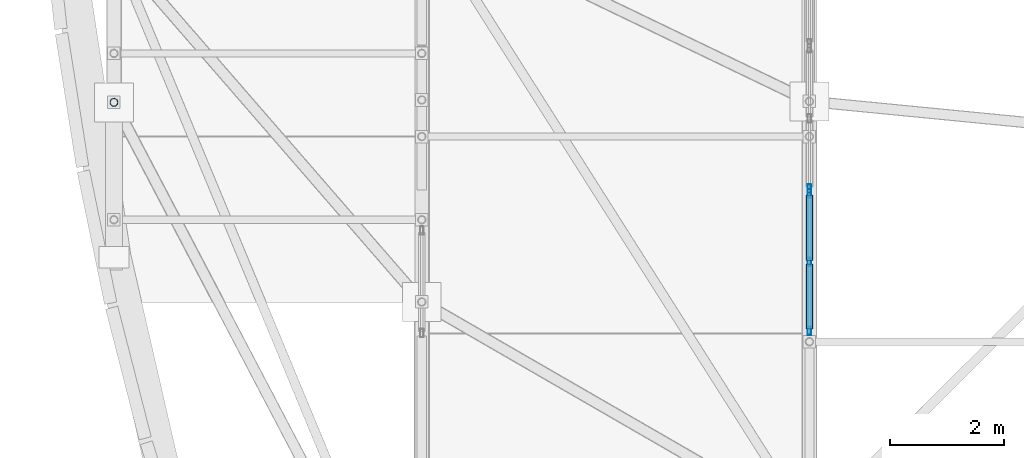
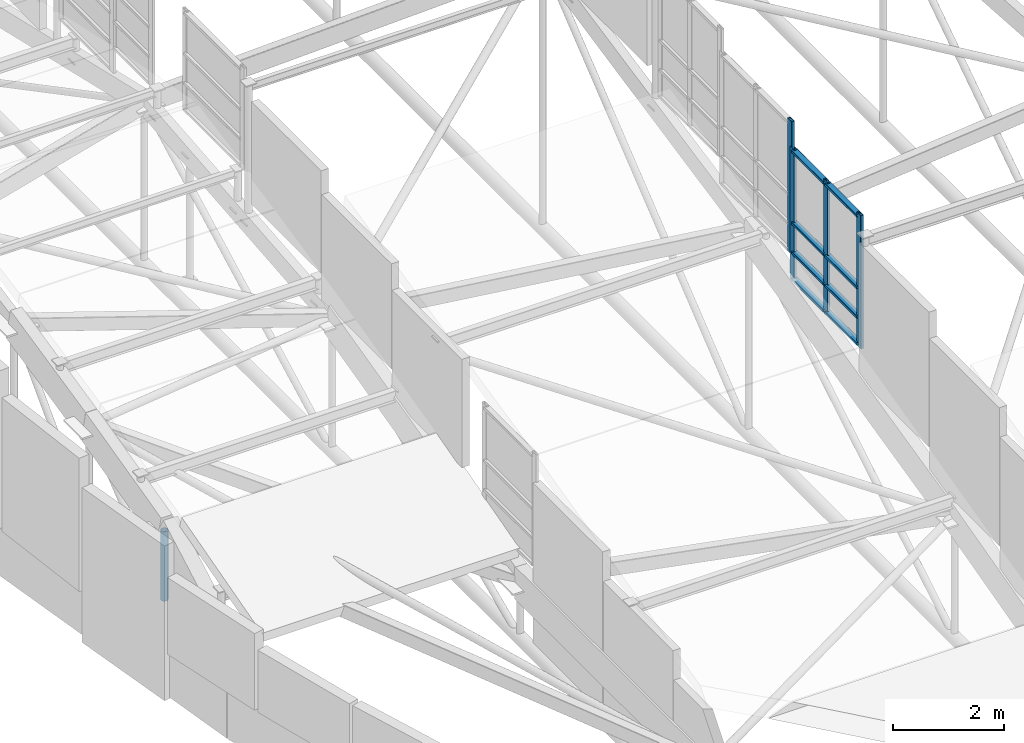
# One storey, part 13 of 188: 13 members, 2 elements without a shape of their own.
"""IFC4 building model written with IfcOpenShell, lengths in metres."""

from ifc_helpers import new_model, si_unit, direction, frame, origin, origin_2d, place, context, subcontext, project, spatial, hollow_rectangle, hollow_circle, extrude, material, layer, layer_set, material_profile, profile_set, type_object, element, aggregate, save


model = new_model("IFC4")

# Units and contexts
model_context = context("Model", 3, precision=1e-05, world=origin(), true_north=direction((0.0, 1.0)))
body_context = subcontext(model_context, "Body", "Model", "MODEL_VIEW")
ifc_project = project(units=[si_unit("LENGTHUNIT", "METRE"), si_unit("AREAUNIT", "SQUARE_METRE"), si_unit("VOLUMEUNIT", "CUBIC_METRE"), si_unit("PLANEANGLEUNIT", "RADIAN"), si_unit("MASSUNIT", "GRAM", prefix="KILO")], contexts=[model_context])

# Site, building, storey
site_placement = place(None, origin())
site = spatial("IfcSite", under=ifc_project, at=site_placement, CompositionType="ELEMENT")
building_placement = place(site_placement, origin())
building = spatial("IfcBuilding", under=site, at=building_placement, Name="Kisaragi Civic Commons", CompositionType="ELEMENT")
storey_placement = place(building_placement, frame((0.0, 0.0, 9.60009765625)))
storey = spatial("IfcBuildingStorey", under=building, at=storey_placement, Name="L02", CompositionType="ELEMENT", Elevation=9.60009765625)

# Curtain wall, members
ifc_material_1 = material(Name="Thermally broken anodized aluminium and low-E double glazing", Category="aluminium")
ifc_layer = layer(ifc_material_1, 0.14990234375, Name="Thermally broken anodized aluminium and low-E double glazing", Category="aluminium")
ifc_layer_set = layer_set([ifc_layer], Name="Thermally broken anodized aluminium and low-E double glazing")
curtain_wall_type = type_object("IfcCurtainWallType", Name="CW-03", PredefinedType="NOTDEFINED", material=ifc_layer_set)
curtain_wall_1_placement = place(storey_placement, origin())
curtain_wall_1 = element("IfcCurtainWall", 1, at=curtain_wall_1_placement, inside=storey, type_object=curtain_wall_type, Name="L02 curtain wall CW-03 CW-CL-V1-139", PredefinedType="NOTDEFINED")
ifc_material_profile_1 = material_profile(ifc_material_1, hollow_rectangle(XDim=0.06005859375, YDim=0.14990234375, WallThickness=0.00390625, InnerFilletRadius=0.00390625, OuterFilletRadius=0.008056640625, at=origin_2d()), Name="CWM-60x150x4", Category="aluminium")
ifc_profile_set_1 = profile_set([ifc_material_profile_1], Name="Thermally broken anodized aluminium and low-E double glazing")
member_type_1 = type_object("IfcMemberType", Name="CWM-01", PredefinedType="MULLION", material=ifc_profile_set_1)
member_1_placement = place(storey_placement, frame((13.60009765625, 21.149169921875, 3.6494140625), z_axis=(0.0, 0.0, 1.0), x_axis=(-1.0, 0.0, 0.0)))
member_1 = element("IfcMember", 2, at=member_1_placement, type_object=member_type_1, Name="CW-03 mullion 1", PredefinedType="MULLION", context=body_context, shape_type="SweptSolid", body=[
    extrude(hollow_rectangle(XDim=0.06005859375, YDim=0.14990234375, WallThickness=0.00390625, InnerFilletRadius=0.00390625, OuterFilletRadius=0.008056640625, at=origin_2d()), origin(), (0.0, 0.0, 1.0), 2.9404296875),
])
member_2_placement = place(storey_placement, frame((13.60009765625, 22.35498046875, 3.6494140625), z_axis=(0.0, 0.0, 1.0), x_axis=(-1.0, 0.0, 0.0)))
member_2 = element("IfcMember", 3, at=member_2_placement, type_object=member_type_1, Name="CW-03 mullion 2", PredefinedType="MULLION", context=body_context, shape_type="SweptSolid", body=[
    extrude(hollow_rectangle(XDim=0.06005859375, YDim=0.14990234375, WallThickness=0.00390625, InnerFilletRadius=0.00390625, OuterFilletRadius=0.008056640625, at=origin_2d()), origin(), (0.0, 0.0, 1.0), 2.9404296875),
])
member_3_placement = place(storey_placement, frame((13.60009765625, 23.560546875, 3.6494140625), z_axis=(0.0, 0.0, 1.0), x_axis=(-1.0, 0.0, 0.0)))
member_3 = element("IfcMember", 4, at=member_3_placement, type_object=member_type_1, Name="CW-03 mullion 3", PredefinedType="MULLION", context=body_context, shape_type="SweptSolid", body=[
    extrude(hollow_rectangle(XDim=0.06005859375, YDim=0.14990234375, WallThickness=0.00390625, InnerFilletRadius=0.00390625, OuterFilletRadius=0.008056640625, at=origin_2d()), origin(), (0.0, 0.0, 1.0), 2.9404296875),
])

# Curtain wall, member
curtain_wall_2_placement = place(storey_placement, origin())
curtain_wall_2 = element("IfcCurtainWall", 5, at=curtain_wall_2_placement, inside=storey, type_object=curtain_wall_type, Name="L02 curtain wall CW-03 CW-CL-V1-140", PredefinedType="NOTDEFINED")
member_4_placement = place(storey_placement, frame((13.60009765625, 23.64453125, 4.213623046875), z_axis=(0.0, 0.0, 1.0), x_axis=(-1.0, 0.0, 0.0)))
member_4 = element("IfcMember", 6, at=member_4_placement, type_object=member_type_1, Name="CW-03 mullion 1", PredefinedType="MULLION", context=body_context, shape_type="SweptSolid", body=[
    extrude(hollow_rectangle(XDim=0.06005859375, YDim=0.14990234375, WallThickness=0.00390625, InnerFilletRadius=0.00390625, OuterFilletRadius=0.008056640625, at=origin_2d()), origin(), (0.0, 0.0, 1.0), 2.936767578125),
])
aggregate(curtain_wall_2, [member_4])

# Member
ifc_material_profile_2 = material_profile(ifc_material_1, hollow_rectangle(XDim=0.1201171875, YDim=0.06005859375, WallThickness=0.00390625, InnerFilletRadius=0.00390625, OuterFilletRadius=0.008056640625, at=origin_2d()), Name="CWT-60x120x4", Category="aluminium")
ifc_profile_set_2 = profile_set([ifc_material_profile_2], Name="Thermally broken anodized aluminium and low-E double glazing")
member_type_2 = type_object("IfcMemberType", Name="CWT-01", PredefinedType="USERDEFINED", material=ifc_profile_set_2)
member_5_placement = place(storey_placement, frame((13.60009765625, 21.17919921875, 3.70947265625), z_axis=(0.0, 1.0, 0.0), x_axis=(-1.0, 0.0, 0.0)))
member_5 = element("IfcMember", 7, at=member_5_placement, type_object=member_type_2, Name="CW-03 transom 1.1", ObjectType="TRANSOM", PredefinedType="USERDEFINED", context=body_context, shape_type="SweptSolid", body=[
    extrude(hollow_rectangle(XDim=0.1201171875, YDim=0.06005859375, WallThickness=0.00390625, InnerFilletRadius=0.00390625, OuterFilletRadius=0.008056640625, at=origin_2d()), origin(), (0.0, 0.0, 1.0), 1.145751953125),
])

member_6_placement = place(storey_placement, frame((13.60009765625, 21.17919921875, 4.29931640625), z_axis=(0.0, 1.0, 0.0), x_axis=(-1.0, 0.0, 0.0)))
member_6 = element("IfcMember", 8, at=member_6_placement, type_object=member_type_2, Name="CW-03 transom 1.2", ObjectType="TRANSOM", PredefinedType="USERDEFINED", context=body_context, shape_type="SweptSolid", body=[
    extrude(hollow_rectangle(XDim=0.1201171875, YDim=0.06005859375, WallThickness=0.00390625, InnerFilletRadius=0.00390625, OuterFilletRadius=0.008056640625, at=origin_2d()), origin(), (0.0, 0.0, 1.0), 1.145751953125),
])

member_7_placement = place(storey_placement, frame((13.60009765625, 21.17919921875, 4.949462890625), z_axis=(0.0, 1.0, 0.0), x_axis=(-1.0, 0.0, 0.0)))
member_7 = element("IfcMember", 9, at=member_7_placement, type_object=member_type_2, Name="CW-03 transom 1.3", ObjectType="TRANSOM", PredefinedType="USERDEFINED", context=body_context, shape_type="SweptSolid", body=[
    extrude(hollow_rectangle(XDim=0.1201171875, YDim=0.06005859375, WallThickness=0.00390625, InnerFilletRadius=0.00390625, OuterFilletRadius=0.008056640625, at=origin_2d()), origin(), (0.0, 0.0, 1.0), 1.145751953125),
])

member_8_placement = place(storey_placement, frame((13.60009765625, 21.17919921875, 6.52978515625), z_axis=(0.0, 1.0, 0.0), x_axis=(-1.0, 0.0, 0.0)))
member_8 = element("IfcMember", 10, at=member_8_placement, type_object=member_type_2, Name="CW-03 transom 1.4", ObjectType="TRANSOM", PredefinedType="USERDEFINED", context=body_context, shape_type="SweptSolid", body=[
    extrude(hollow_rectangle(XDim=0.1201171875, YDim=0.06005859375, WallThickness=0.00390625, InnerFilletRadius=0.00390625, OuterFilletRadius=0.008056640625, at=origin_2d()), origin(), (0.0, 0.0, 1.0), 1.145751953125),
])

member_9_placement = place(storey_placement, frame((13.60009765625, 22.385009765625, 3.70947265625), z_axis=(0.0, 1.0, 0.0), x_axis=(-1.0, 0.0, 0.0)))
member_9 = element("IfcMember", 11, at=member_9_placement, type_object=member_type_2, Name="CW-03 transom 2.1", ObjectType="TRANSOM", PredefinedType="USERDEFINED", context=body_context, shape_type="SweptSolid", body=[
    extrude(hollow_rectangle(XDim=0.1201171875, YDim=0.06005859375, WallThickness=0.00390625, InnerFilletRadius=0.00390625, OuterFilletRadius=0.008056640625, at=origin_2d()), origin(), (0.0, 0.0, 1.0), 1.1455078125),
])

member_10_placement = place(storey_placement, frame((13.60009765625, 22.385009765625, 4.29931640625), z_axis=(0.0, 1.0, 0.0), x_axis=(-1.0, 0.0, 0.0)))
member_10 = element("IfcMember", 12, at=member_10_placement, type_object=member_type_2, Name="CW-03 transom 2.2", ObjectType="TRANSOM", PredefinedType="USERDEFINED", context=body_context, shape_type="SweptSolid", body=[
    extrude(hollow_rectangle(XDim=0.1201171875, YDim=0.06005859375, WallThickness=0.00390625, InnerFilletRadius=0.00390625, OuterFilletRadius=0.008056640625, at=origin_2d()), origin(), (0.0, 0.0, 1.0), 1.1455078125),
])

member_11_placement = place(storey_placement, frame((13.60009765625, 22.385009765625, 4.949462890625), z_axis=(0.0, 1.0, 0.0), x_axis=(-1.0, 0.0, 0.0)))
member_11 = element("IfcMember", 13, at=member_11_placement, type_object=member_type_2, Name="CW-03 transom 2.3", ObjectType="TRANSOM", PredefinedType="USERDEFINED", context=body_context, shape_type="SweptSolid", body=[
    extrude(hollow_rectangle(XDim=0.1201171875, YDim=0.06005859375, WallThickness=0.00390625, InnerFilletRadius=0.00390625, OuterFilletRadius=0.008056640625, at=origin_2d()), origin(), (0.0, 0.0, 1.0), 1.1455078125),
])

member_12_placement = place(storey_placement, frame((13.60009765625, 22.385009765625, 6.52978515625), z_axis=(0.0, 1.0, 0.0), x_axis=(-1.0, 0.0, 0.0)))
member_12 = element("IfcMember", 14, at=member_12_placement, type_object=member_type_2, Name="CW-03 transom 2.4", ObjectType="TRANSOM", PredefinedType="USERDEFINED", context=body_context, shape_type="SweptSolid", body=[
    extrude(hollow_rectangle(XDim=0.1201171875, YDim=0.06005859375, WallThickness=0.00390625, InnerFilletRadius=0.00390625, OuterFilletRadius=0.008056640625, at=origin_2d()), origin(), (0.0, 0.0, 1.0), 1.1455078125),
])

aggregate(curtain_wall_1, [member_1, member_2, member_3, member_5, member_6, member_7, member_8, member_9, member_10, member_11, member_12])

ifc_material_2 = material(Name="Steel SN490 (SN490B)", Category="steel")
ifc_material_profile_3 = material_profile(ifc_material_2, hollow_circle(Radius=0.06982421875, WallThickness=0.006103515625, at=origin_2d()), Name="CHS-139.8x6.0", Category="steel")
ifc_profile_set_3 = profile_set([ifc_material_profile_3], Name="Steel SN490 (SN490B)")
member_type_3 = type_object("IfcMemberType", Name="ST-H1", PredefinedType="STRUT", material=ifc_profile_set_3)
member_13_placement = place(storey_placement, frame((1.39990234375, 25.15771484375, -0.080078125), z_axis=(0.0, 0.0, 1.0), x_axis=(1.0, 0.0, 0.0)))
element("IfcMember", 15, at=member_13_placement, inside=storey, type_object=member_type_3, Name="V1 arch tie hanger strut 2", PredefinedType="STRUT", context=body_context, shape_type="SweptSolid", body=[
    extrude(hollow_circle(Radius=0.06982421875, WallThickness=0.006103515625, at=origin_2d()), origin(), (0.0, 0.0, 1.0), 1.53173828125),
])

save(model, "model.ifc")
